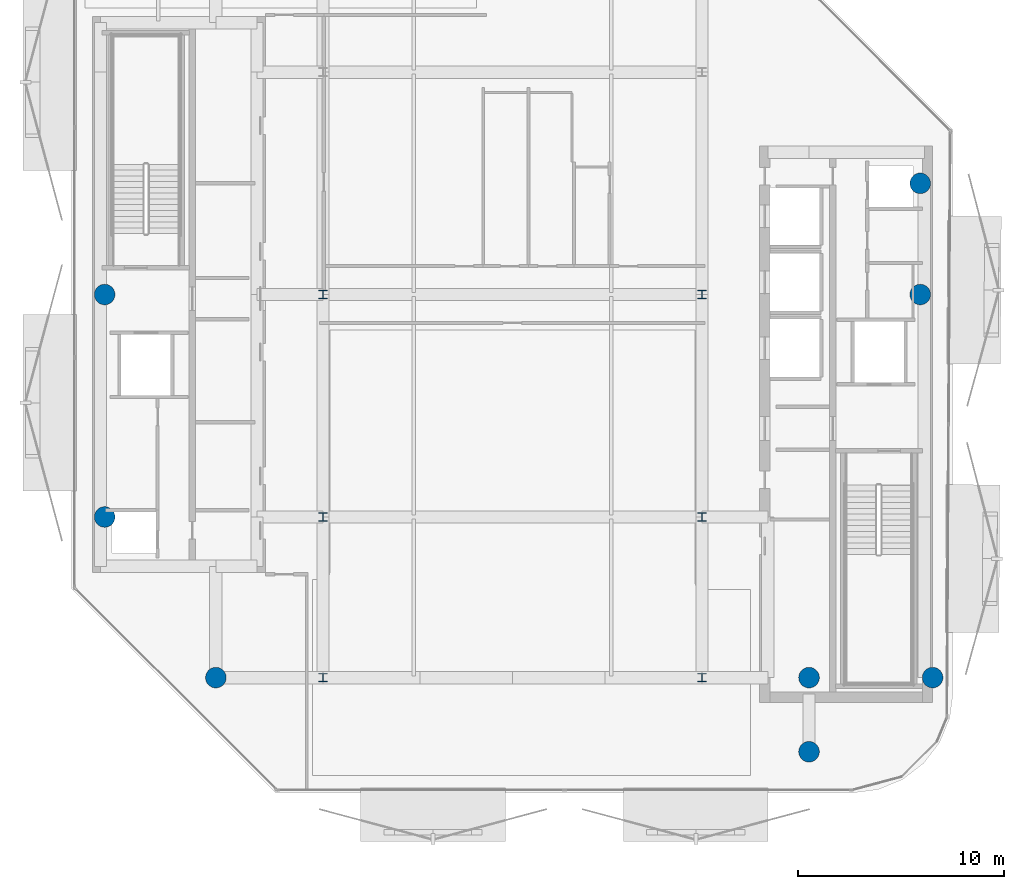
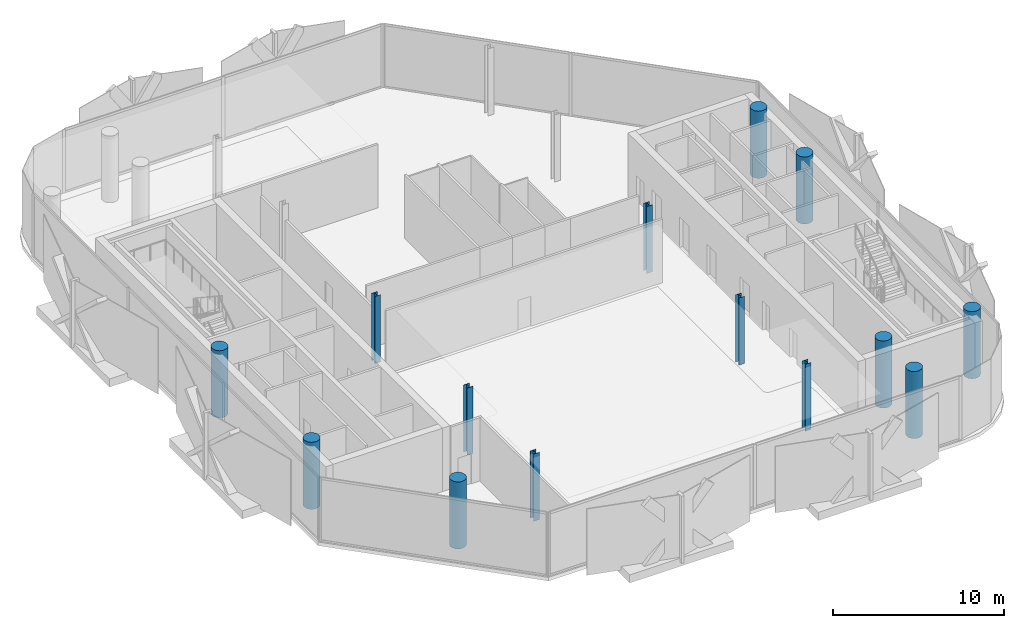
# One storey, part 1 of 15: 14 columns.
"""IFC4 building model written with IfcOpenShell, lengths in metres."""

from ifc_helpers import new_model, si_unit, direction, frame, origin, origin_2d, place, context, subcontext, project, spatial, circle, i_section, extrude, material, material_profile, profile_set, type_object, element, save


model = new_model("IFC4")

# Units and contexts
model_context = context("Model", 3, precision=1e-05, world=origin(), true_north=direction((0.0, 1.0)))
body_context = subcontext(model_context, "Body", "Model", "MODEL_VIEW")
ifc_project = project(units=[si_unit("LENGTHUNIT", "METRE"), si_unit("AREAUNIT", "SQUARE_METRE"), si_unit("VOLUMEUNIT", "CUBIC_METRE"), si_unit("PLANEANGLEUNIT", "RADIAN"), si_unit("MASSUNIT", "GRAM", prefix="KILO")], contexts=[model_context])

# Site, building, storey
site_placement = place(None, origin())
site = spatial("IfcSite", under=ifc_project, at=site_placement, CompositionType="ELEMENT")
building_placement = place(site_placement, origin())
building = spatial("IfcBuilding", under=site, at=building_placement, Name="Khairoan Windgate Tower", CompositionType="ELEMENT")
storey_placement = place(building_placement, frame((0.0, 0.0, 315.60009765625)))
storey = spatial("IfcBuildingStorey", under=building, at=storey_placement, Name="L76", CompositionType="ELEMENT", Elevation=315.60009765625)

# Columns
ifc_material_1 = material(Name="Concrete C60/75", Category="concrete")
ifc_material_profile_1 = material_profile(ifc_material_1, circle(Radius=0.5, at=origin_2d()))
ifc_profile_set_1 = profile_set([ifc_material_profile_1], Name="Concrete C60/75")
column_type_1 = type_object("IfcColumnType", Name="Column C-P1 RC-D1000", PredefinedType="COLUMN", material=ifc_profile_set_1)
for number, where, z_axis, x_axis, name in (
    (1, (20.39990234375, -18.60009765625, 0.0), (0.0, 0.0, 1.0), (1.0, 0.0, 0.0), "Column L76-12"),
    (2, (-14.39990234375, -18.60009765625, 0.0), (0.0, 0.0, 1.0), (1.0, 0.0, 0.0), "Column L76-13"),
    (3, (14.39990234375, -18.60009765625, 0.0), (0.0, 0.0, 1.0), (1.0, 0.0, 0.0), "Column L76-15"),
    (4, (-19.800048828125, -10.800048828125, 0.0), (0.0, 0.0, 1.0), (1.0, 0.0, 0.0), "Column L76-16"),
    (5, (-19.800048828125, 0.0, 0.0), (0.0, 0.0, 1.0), (1.0, 0.0, 0.0), "Column L76-17"),
    (6, (19.800048828125, 0.0, 0.0), (0.0, 0.0, 1.0), (1.0, 0.0, 0.0), "Column L76-18"),
    (7, (19.800048828125, 5.39990234375, 0.0), (0.0, 0.0, 1.0), (1.0, 0.0, 0.0), "Column L76-19"),
    (8, (14.39990234375, -22.199951171875, 0.0), (0.0, 0.0, 1.0), (1.0, 0.0, 0.0), "Column L76-21"),
):
    element("IfcColumn", number, at=place(storey_placement, frame(where, z_axis=z_axis, x_axis=x_axis)), inside=storey, type_object=column_type_1, Name=name, PredefinedType="COLUMN", context=body_context, shape_type="SweptSolid", body=[
        extrude(circle(Radius=0.5, at=origin_2d()), origin(), (0.0, 0.0, 1.0), 4.7998046875),
    ])
ifc_material_2 = material(Name="Steel S355", Category="steel")
ifc_material_profile_2 = material_profile(ifc_material_2, i_section(OverallWidth=0.39990234375, OverallDepth=0.39990234375, WebThickness=0.012939453125, FlangeThickness=0.02099609375, FilletRadius=0.02197265625, at=origin_2d()))
ifc_profile_set_2 = profile_set([ifc_material_profile_2], Name="Steel S355")
column_type_2 = type_object("IfcColumnType", Name="Steel Column SC4 H400x400x13x21", PredefinedType="COLUMN", material=ifc_profile_set_2)
for number, where, z_axis, x_axis, name in (
    (9, (-9.199951171875, -18.60009765625, 0.0), (0.0, 0.0, 1.0), (1.0, 0.0, 0.0), "Column L76-01"),
    (10, (-9.199951171875, -10.800048828125, 0.0), (0.0, 0.0, 1.0), (1.0, 0.0, 0.0), "Column L76-02"),
    (11, (-9.199951171875, 0.0, 0.0), (0.0, 0.0, 1.0), (1.0, 0.0, 0.0), "Column L76-03"),
    (12, (9.199951171875, -18.60009765625, 0.0), (0.0, 0.0, 1.0), (1.0, 0.0, 0.0), "Column L76-06"),
    (13, (9.199951171875, -10.800048828125, 0.0), (0.0, 0.0, 1.0), (1.0, 0.0, 0.0), "Column L76-07"),
    (14, (9.199951171875, 0.0, 0.0), (0.0, 0.0, 1.0), (1.0, 0.0, 0.0), "Column L76-08"),
):
    element("IfcColumn", number, at=place(storey_placement, frame(where, z_axis=z_axis, x_axis=x_axis)), inside=storey, type_object=column_type_2, Name=name, PredefinedType="COLUMN", context=body_context, shape_type="SweptSolid", body=[
        extrude(i_section(OverallWidth=0.39990234375, OverallDepth=0.39990234375, WebThickness=0.012939453125, FlangeThickness=0.02099609375, FilletRadius=0.02197265625, at=origin_2d()), origin(), (0.0, 0.0, 1.0), 4.7998046875),
    ])

save(model, "model.ifc")
